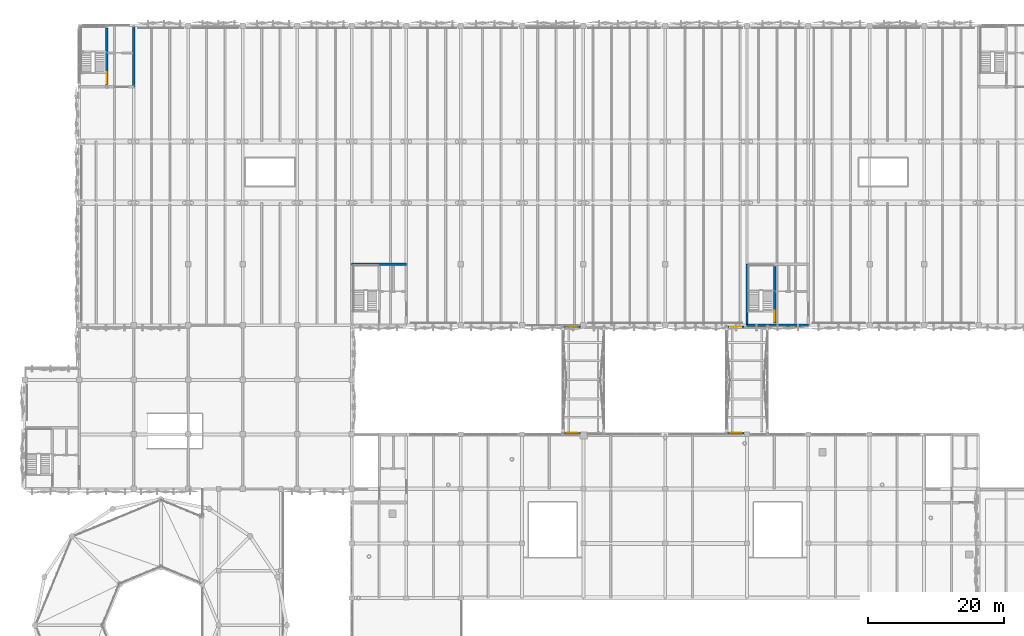
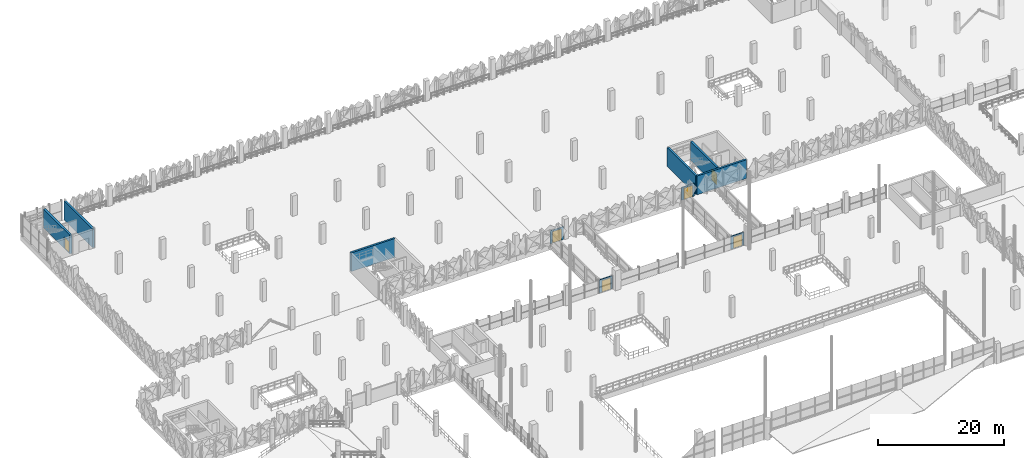
# One storey, part 75 of 123: 10 walls, 6 doors, 6 openings.
"""IFC4 building model written with IfcOpenShell, lengths in metres."""

import ifcopenshell
import ifcopenshell.guid

model = None  # the IFC model being written
_history = None  # IfcOwnerHistory: only IFC2X3 demands one
_inside = {}  # id of a spatial element -> (the spatial element, [elements in it])
_under = {}  # id of a project, library or spatial element -> (it, [spatial elements below it])
_declared = {}  # id of a project -> (the project, [libraries it declares])
_typed = {}  # id of a type object -> (the type object, [elements of that type])
_made_of = {}  # id of a material, layer set ... -> (it, [elements and type objects made of it])


def new_model(schema):
    """Start an empty IFC model of exactly this schema.

    Asked for "IFC4X3", IfcOpenShell would pick the latest addendum, in which some entities
    have other attributes; the version numbers below select the first issue.
    IFC2X3 requires an IfcOwnerHistory on every rooted entity: one is made here for all.
    """
    global model, _history
    if schema == "IFC4X3":
        model = ifcopenshell.file(schema_version=(4, 3, 0, 0))
    else:
        model = ifcopenshell.file(schema=schema)
    _inside.clear()
    _under.clear()
    _declared.clear()
    _typed.clear()
    _made_of.clear()
    _history = None
    if model.schema == "IFC2X3":
        org = make("IfcOrganization", Name="unknown")
        user = make(
            "IfcPersonAndOrganization",
            ThePerson=make("IfcPerson", FamilyName="unknown"),
            TheOrganization=org,
        )
        app = make(
            "IfcApplication",
            ApplicationDeveloper=org,
            Version="unknown",
            ApplicationFullName="unknown",
            ApplicationIdentifier="unknown",
        )
        _history = make(
            "IfcOwnerHistory",
            OwningUser=user,
            OwningApplication=app,
            ChangeAction="ADDED",
            CreationDate=0,
        )
    return model


def make(cls, **values):
    """One entity of the class cls with the attributes given. An attribute that is None is left unset."""
    return model.create_entity(
        cls, **{name: value for name, value in values.items() if value is not None}
    )


def rooted(cls, **values):
    """An entity with a GlobalId (a new one), such as an element, a storey or a relation."""
    return make(cls, GlobalId=ifcopenshell.guid.new(), OwnerHistory=_history, **values)


def si_unit(unit_type, name, prefix=None):
    """IfcSIUnit, for example si_unit("LENGTHUNIT", "METRE", prefix="MILLI")."""
    return make("IfcSIUnit", UnitType=unit_type, Prefix=prefix, Name=name)


def derived_unit(unit_type, elements):
    """IfcDerivedUnit: a product of units, each with its exponent."""
    return make(
        "IfcDerivedUnit",
        Elements=[
            make("IfcDerivedUnitElement", Unit=unit, Exponent=power)
            for unit, power in elements
        ],
        UnitType=unit_type,
    )


def assignment(units):
    """IfcUnitAssignment: the units of a project."""
    return None if units is None else make("IfcUnitAssignment", Units=units)


def point(xyz):
    """IfcCartesianPoint."""
    return None if xyz is None else make("IfcCartesianPoint", Coordinates=xyz)


def direction(xyz):
    """IfcDirection."""
    return None if xyz is None else make("IfcDirection", DirectionRatios=xyz)


def frame(location, z_axis=None, x_axis=None):
    """IfcAxis2Placement3D, a coordinate frame: its origin and axes. An axis left out is left unset."""
    return make(
        "IfcAxis2Placement3D",
        Location=point(location),
        Axis=direction(z_axis),
        RefDirection=direction(x_axis),
    )


def frame_2d(location, x_axis=None):
    """IfcAxis2Placement2D, a coordinate frame in the plane: its origin and x axis."""
    return make(
        "IfcAxis2Placement2D", Location=point(location), RefDirection=direction(x_axis)
    )


def origin():
    """The frame at (0, 0, 0) with its axes left unset."""
    return frame((0.0, 0.0, 0.0))


def place(relative_to, where):
    """IfcLocalPlacement: puts the frame where relative to a parent placement (None: the world)."""
    return make(
        "IfcLocalPlacement", PlacementRelTo=relative_to, RelativePlacement=where
    )


def context(
    kind, dimensions, precision=None, world=None, true_north=None, identifier=None
):
    """IfcGeometricRepresentationContext, for example the 3D "Model" context."""
    return make(
        "IfcGeometricRepresentationContext",
        ContextIdentifier=identifier,
        ContextType=kind,
        CoordinateSpaceDimension=dimensions,
        Precision=precision,
        WorldCoordinateSystem=world,
        TrueNorth=true_north,
    )


def subcontext(parent, identifier, kind, view, scale=None):
    """IfcGeometricRepresentationSubContext, for example "Body" below "Model"."""
    return make(
        "IfcGeometricRepresentationSubContext",
        ContextIdentifier=identifier,
        ContextType=kind,
        ParentContext=parent,
        TargetScale=scale,
        TargetView=view,
    )


def project(units=None, contexts=None):
    """IfcProject with its units and contexts."""
    return rooted(
        "IfcProject",
        Name="project",
        RepresentationContexts=contexts,
        UnitsInContext=assignment(units),
    )


def spatial(cls, under=None, at=None, **own):
    """A site, building, storey or space (cls), placed at a placement, below another one or the project."""
    s = rooted(cls, ObjectPlacement=at, **own)
    if under is not None:
        _under.setdefault(under.id(), (under, []))[1].append(s)
    return s


def profile(cls, at=None, kind="AREA", **sizes):
    """A parametric profile (cls). Its sizes go by their IFC names, for example OverallWidth=200.0."""
    return make(cls, ProfileType=kind, Position=at, **sizes)


def rectangle(**sizes):
    """IfcRectangleProfileDef."""
    return profile("IfcRectangleProfileDef", **sizes)


def extrude(swept, where, along, depth):
    """IfcExtrudedAreaSolid: the profile swept, set in the frame where, extruded along a direction by depth."""
    return make(
        "IfcExtrudedAreaSolid",
        SweptArea=swept,
        Position=where,
        ExtrudedDirection=direction(along),
        Depth=depth,
    )


def shape(context_of_items, identifier, shape_type, items):
    """IfcShapeRepresentation: the items that make up one representation, for example the "Body"."""
    return make(
        "IfcShapeRepresentation",
        ContextOfItems=context_of_items,
        RepresentationIdentifier=identifier,
        RepresentationType=shape_type,
        Items=items,
    )


def material(Name=None, Category=None):
    """IfcMaterial."""
    return make("IfcMaterial", Name=Name, Category=Category)


def layer(
    of_material, thickness, ventilated=None, Name=None, Category=None, Priority=None
):
    """IfcMaterialLayer: one layer of a wall or slab, of a material (None: an air gap)."""
    return make(
        "IfcMaterialLayer",
        Material=of_material,
        LayerThickness=thickness,
        IsVentilated=ventilated,
        Name=Name,
        Category=Category,
        Priority=Priority,
    )


def layer_set(layers, Name=None):
    """IfcMaterialLayerSet."""
    return make("IfcMaterialLayerSet", MaterialLayers=layers, LayerSetName=Name)


def made_of(thing, what):
    """Note that an element or type object is made of a material, layer set ...; save() writes the relation."""
    if what is not None:
        _made_of.setdefault(what.id(), (what, []))[1].append(thing)
    return thing


def type_object(cls, material=None, **own):
    """A type object (cls), such as IfcWallType, which elements share."""
    return made_of(rooted(cls, **own), material)


def element(
    cls,
    number,
    at=None,
    inside=None,
    cuts=None,
    type_object=None,
    material=None,
    context=None,
    identifier="Body",
    shape_type=None,
    held_by="IfcProductDefinitionShape",
    body=None,
    shapes=None,
    **own,
):
    """One element of the class cls, such as IfcWall. Its Tag is "e" and its number.

    at: its placement. inside: the storey or other place that contains it. cuts: it is an
    opening in that element (IfcRelVoidsElement). A single representation is given by context,
    identifier, shape_type and body (its items); several are given by shapes. held_by: the class
    of the entity that holds the representations. save() writes the other relations.
    """
    e = rooted(cls, Tag="e%d" % number, ObjectPlacement=at, **own)
    if body is not None:
        shapes = [shape(context, identifier, shape_type, body)]
    if shapes is not None:
        e.Representation = make(held_by, Representations=shapes)
    if inside is not None:
        _inside.setdefault(inside.id(), (inside, []))[1].append(e)
    if cuts is not None:
        rooted(
            "IfcRelVoidsElement", RelatingBuildingElement=cuts, RelatedOpeningElement=e
        )
    if type_object is not None:
        _typed.setdefault(type_object.id(), (type_object, []))[1].append(e)
    return made_of(e, material)


def fill(opening, filler):
    """IfcRelFillsElement: the door or window that sits in an opening."""
    return rooted(
        "IfcRelFillsElement",
        RelatingOpeningElement=opening,
        RelatedBuildingElement=filler,
    )


def aggregate(whole, parts):
    """IfcRelAggregates: a whole, such as a stair, and the parts it consists of."""
    return rooted("IfcRelAggregates", RelatingObject=whole, RelatedObjects=parts)


def save(model, path):
    """Write the relations noted so far, then the file.

    IfcRelAggregates (storeys below a building ...), IfcRelContainedInSpatialStructure (elements
    in a storey), IfcRelDefinesByType, IfcRelAssociatesMaterial and IfcRelDeclares: one each for
    every whole, place, type object, material and project.
    """
    for whole, parts in _under.values():
        aggregate(whole, parts)
    for where, things in _inside.values():
        rooted(
            "IfcRelContainedInSpatialStructure",
            RelatedElements=things,
            RelatingStructure=where,
        )
    for kind, things in _typed.values():
        rooted("IfcRelDefinesByType", RelatedObjects=things, RelatingType=kind)
    for what, things in _made_of.values():
        rooted("IfcRelAssociatesMaterial", RelatedObjects=things, RelatingMaterial=what)
    for by, libraries in _declared.values():
        rooted("IfcRelDeclares", RelatingContext=by, RelatedDefinitions=libraries)
    model.write(path)


model = new_model("IFC4")

# Units and contexts
model_context = context("Model", 3, precision=1e-05, world=origin(), true_north=direction((0.0, 1.0)))
body_context = subcontext(model_context, "Body", "Model", "MODEL_VIEW")
ifc_project = project(units=[si_unit("LENGTHUNIT", "METRE"), si_unit("AREAUNIT", "SQUARE_METRE"), si_unit("VOLUMEUNIT", "CUBIC_METRE"), si_unit("PLANEANGLEUNIT", "RADIAN"), si_unit("MASSUNIT", "GRAM", prefix="KILO"), si_unit("THERMODYNAMICTEMPERATUREUNIT", "KELVIN"), derived_unit("THERMALTRANSMITTANCEUNIT", [(si_unit("POWERUNIT", "WATT"), 1), (si_unit("AREAUNIT", "SQUARE_METRE"), -1), (si_unit("THERMODYNAMICTEMPERATUREUNIT", "KELVIN"), -1)])], contexts=[model_context])

# Site, building, storey
site_placement = place(None, origin())
site = spatial("IfcSite", under=ifc_project, at=site_placement, CompositionType="ELEMENT")
building_placement = place(site_placement, origin())
building = spatial("IfcBuilding", under=site, at=building_placement, Name="Haiyu Intermodal Mobility Hub", CompositionType="ELEMENT")
storey_placement = place(building_placement, frame((0.0, 0.0, 5.60009765625)))
storey = spatial("IfcBuildingStorey", under=building, at=storey_placement, Name="L01", CompositionType="ELEMENT", Elevation=5.60009765625)

# Wall, opening, door
ifc_material_1 = material(Name="Fire-rated gypsum and rockwool partition", Category="gypsum")
ifc_layer_1 = layer(ifc_material_1, 0.14990234375)
ifc_layer_set_1 = layer_set([ifc_layer_1], Name="Fire-rated gypsum and rockwool partition")
wall_type_1 = type_object("IfcWallType", Name="WAL-WI04", PredefinedType="PARTITIONING", material=ifc_layer_set_1)
wall_1_placement = place(storey_placement, frame((93.10009765625, 88.199951171875, 0.0), z_axis=(0.0, 0.0, 1.0), x_axis=(1.0, 0.0, 0.0)))
wall_1 = element("IfcWall", 1, at=wall_1_placement, inside=storey, type_object=wall_type_1, Name="WAL-BRGS-BW-L01", PredefinedType="PARTITIONING", context=body_context, shape_type="SweptSolid", body=[
    extrude(rectangle(XDim=2.39990234375, YDim=0.14990234375, at=frame_2d((1.199951171875, 0.0))), origin(), (0.0, 0.0, 1.0), 2.47998046875),
])
opening_1_placement = place(wall_1_placement, frame((0.449951171875, 0.0, 0.0)))
opening_1 = element("IfcOpeningElement", 2, at=opening_1_placement, cuts=wall_1, Name="Opening DI18", PredefinedType="OPENING", context=body_context, shape_type="SweptSolid", body=[
    extrude(rectangle(XDim=1.60009765625, YDim=2.199951171875, at=frame_2d((0.800048828125, 1.10009765625))), frame((0.0, 0.0849609375, 0.0), z_axis=(0.0, -1.0, 0.0), x_axis=(1.0, 0.0, 0.0)), (0.0, 0.0, 1.0), 0.169921875),
])
ifc_material_2 = material(Name="Anodised aluminium 6063-T6", Category="aluminium")
door_type_1 = type_object("IfcDoorType", Name="DR-DI18", OperationType="DOUBLE_DOOR_SINGLE_SWING", PredefinedType="DOOR", material=ifc_material_2)
door_1_placement = place(opening_1_placement, origin())
door_1 = element("IfcDoor", 3, at=door_1_placement, inside=storey, type_object=door_type_1, Name="Bridge BW South Lobby Door L01", OperationType="SINGLE_SWING_LEFT", OverallHeight=2.199951171875, OverallWidth=1.60009765625, PredefinedType="DOOR", context=body_context, shape_type="SweptSolid", body=[
    extrude(rectangle(XDim=1.60009765625, YDim=2.199951171875, at=frame_2d((0.800048828125, 1.10009765625))), frame((0.0, 0.02490234375, 0.0), z_axis=(0.0, -1.0, 0.0), x_axis=(1.0, 0.0, 0.0)), (0.0, 0.0, 1.0), 0.050048828125),
])
fill(opening_1, door_1)

wall_2_placement = place(storey_placement, frame((93.10009765625, 103.800048828125, 0.0), z_axis=(0.0, 0.0, 1.0), x_axis=(1.0, 0.0, 0.0)))
wall_2 = element("IfcWall", 4, at=wall_2_placement, inside=storey, type_object=wall_type_1, Name="WAL-BRGN-BW-L01", PredefinedType="PARTITIONING", context=body_context, shape_type="SweptSolid", body=[
    extrude(rectangle(XDim=2.39990234375, YDim=0.14990234375, at=frame_2d((1.199951171875, 0.0))), origin(), (0.0, 0.0, 1.0), 2.47998046875),
])
opening_2_placement = place(wall_2_placement, frame((0.449951171875, 0.0, 0.0)))
opening_2 = element("IfcOpeningElement", 5, at=opening_2_placement, cuts=wall_2, Name="Opening DI18", PredefinedType="OPENING", context=body_context, shape_type="SweptSolid", body=[
    extrude(rectangle(XDim=1.60009765625, YDim=2.199951171875, at=frame_2d((0.800048828125, 1.10009765625))), frame((0.0, 0.0849609375, 0.0), z_axis=(0.0, -1.0, 0.0), x_axis=(1.0, 0.0, 0.0)), (0.0, 0.0, 1.0), 0.169921875),
])
door_2_placement = place(opening_2_placement, origin())
door_2 = element("IfcDoor", 6, at=door_2_placement, inside=storey, type_object=door_type_1, Name="Bridge BW North Lobby Door L01", OperationType="SINGLE_SWING_RIGHT", OverallHeight=2.199951171875, OverallWidth=1.60009765625, PredefinedType="DOOR", context=body_context, shape_type="SweptSolid", body=[
    extrude(rectangle(XDim=1.60009765625, YDim=2.199951171875, at=frame_2d((0.800048828125, 1.10009765625))), frame((0.0, 0.02490234375, 0.0), z_axis=(0.0, -1.0, 0.0), x_axis=(1.0, 0.0, 0.0)), (0.0, 0.0, 1.0), 0.050048828125),
])
fill(opening_2, door_2)

wall_3_placement = place(storey_placement, frame((117.10009765625, 88.199951171875, 0.0), z_axis=(0.0, 0.0, 1.0), x_axis=(1.0, 0.0, 0.0)))
wall_3 = element("IfcWall", 7, at=wall_3_placement, inside=storey, type_object=wall_type_1, Name="WAL-BRGS-BE-L01", PredefinedType="PARTITIONING", context=body_context, shape_type="SweptSolid", body=[
    extrude(rectangle(XDim=2.39990234375, YDim=0.14990234375, at=frame_2d((1.199951171875, 0.0))), origin(), (0.0, 0.0, 1.0), 2.47998046875),
])
opening_3_placement = place(wall_3_placement, frame((0.449951171875, 0.0, 0.0)))
opening_3 = element("IfcOpeningElement", 8, at=opening_3_placement, cuts=wall_3, Name="Opening DI18", PredefinedType="OPENING", context=body_context, shape_type="SweptSolid", body=[
    extrude(rectangle(XDim=1.60009765625, YDim=2.199951171875, at=frame_2d((0.800048828125, 1.10009765625))), frame((0.0, 0.0849609375, 0.0), z_axis=(0.0, -1.0, 0.0), x_axis=(1.0, 0.0, 0.0)), (0.0, 0.0, 1.0), 0.169921875),
])
door_3_placement = place(opening_3_placement, origin())
door_3 = element("IfcDoor", 9, at=door_3_placement, inside=storey, type_object=door_type_1, Name="Bridge BE South Lobby Door L01", OperationType="SINGLE_SWING_LEFT", OverallHeight=2.199951171875, OverallWidth=1.60009765625, PredefinedType="DOOR", context=body_context, shape_type="SweptSolid", body=[
    extrude(rectangle(XDim=1.60009765625, YDim=2.199951171875, at=frame_2d((0.800048828125, 1.10009765625))), frame((0.0, 0.02490234375, 0.0), z_axis=(0.0, -1.0, 0.0), x_axis=(1.0, 0.0, 0.0)), (0.0, 0.0, 1.0), 0.050048828125),
])
fill(opening_3, door_3)

wall_4_placement = place(storey_placement, frame((117.10009765625, 103.800048828125, 0.0), z_axis=(0.0, 0.0, 1.0), x_axis=(1.0, 0.0, 0.0)))
wall_4 = element("IfcWall", 10, at=wall_4_placement, inside=storey, type_object=wall_type_1, Name="WAL-BRGN-BE-L01", PredefinedType="PARTITIONING", context=body_context, shape_type="SweptSolid", body=[
    extrude(rectangle(XDim=2.39990234375, YDim=0.14990234375, at=frame_2d((1.199951171875, 0.0))), origin(), (0.0, 0.0, 1.0), 2.47998046875),
])
opening_4_placement = place(wall_4_placement, frame((0.449951171875, 0.0, 0.0)))
opening_4 = element("IfcOpeningElement", 11, at=opening_4_placement, cuts=wall_4, Name="Opening DI18", PredefinedType="OPENING", context=body_context, shape_type="SweptSolid", body=[
    extrude(rectangle(XDim=1.60009765625, YDim=2.199951171875, at=frame_2d((0.800048828125, 1.10009765625))), frame((0.0, 0.0849609375, 0.0), z_axis=(0.0, -1.0, 0.0), x_axis=(1.0, 0.0, 0.0)), (0.0, 0.0, 1.0), 0.169921875),
])
door_4_placement = place(opening_4_placement, origin())
door_4 = element("IfcDoor", 12, at=door_4_placement, inside=storey, type_object=door_type_1, Name="Bridge BE North Lobby Door L01", OperationType="SINGLE_SWING_RIGHT", OverallHeight=2.199951171875, OverallWidth=1.60009765625, PredefinedType="DOOR", context=body_context, shape_type="SweptSolid", body=[
    extrude(rectangle(XDim=1.60009765625, YDim=2.199951171875, at=frame_2d((0.800048828125, 1.10009765625))), frame((0.0, 0.02490234375, 0.0), z_axis=(0.0, -1.0, 0.0), x_axis=(1.0, 0.0, 0.0)), (0.0, 0.0, 1.0), 0.050048828125),
])
fill(opening_4, door_4)

# Walls
ifc_material_3 = material(Name="Concrete C40", Category="concrete")
ifc_layer_2 = layer(ifc_material_3, 0.35009765625)
ifc_layer_set_2 = layer_set([ifc_layer_2], Name="Concrete C40")
wall_type_2 = type_object("IfcWallType", Name="WAL-WS02", PredefinedType="SHEAR", material=ifc_layer_set_2)
wall_5_placement = place(storey_placement, frame((70.0, 113.0, 0.0), z_axis=(0.0, 0.0, 1.0), x_axis=(-1.0, 0.0, 0.0)))
element("IfcWall", 13, at=wall_5_placement, inside=storey, type_object=wall_type_2, Name="WAL-CORE-C5-N-L01", PredefinedType="SHEAR", context=body_context, shape_type="SweptSolid", body=[
    extrude(rectangle(XDim=8.0, YDim=0.35009765625, at=frame_2d((4.0, 0.0))), origin(), (0.0, 0.0, 1.0), 3.619873046875),
])
for number, where, z_axis, x_axis, name in (
    (14, (120.0, 104.0, 0.0), (0.0, 0.0, 1.0), (1.0, 0.0, 0.0), "WAL-CORE-C6-S-L01"),
    (15, (120.0, 113.0, 0.0), (0.0, 0.0, 1.0), (0.0, -1.0, 0.0), "WAL-CORE-C6-W-L01"),
):
    element("IfcWall", number, at=place(storey_placement, frame(where, z_axis=z_axis, x_axis=x_axis)), inside=storey, type_object=wall_type_2, Name=name, PredefinedType="SHEAR", context=body_context, shape_type="SweptSolid", body=[
        extrude(rectangle(XDim=9.0, YDim=0.35009765625, at=frame_2d((4.5, 0.0))), origin(), (0.0, 0.0, 1.0), 3.619873046875),
    ])
ifc_layer_3 = layer(ifc_material_3, 0.3798828125)
ifc_layer_set_3 = layer_set([ifc_layer_3], Name="Concrete C40")
wall_type_3 = type_object("IfcWallType", Name="WAL-WS03", PredefinedType="SHEAR", material=ifc_layer_set_3)
wall_6_placement = place(storey_placement, frame((30.0, 139.0, 0.0), z_axis=(0.0, 0.0, 1.0), x_axis=(0.0, 1.0, 0.0)))
element("IfcWall", 16, at=wall_6_placement, inside=storey, type_object=wall_type_3, Name="WAL-CORE-C3-E-L01", PredefinedType="SHEAR", context=body_context, shape_type="SweptSolid", body=[
    extrude(rectangle(XDim=9.0, YDim=0.3798828125, at=frame_2d((4.5, 0.0))), origin(), (0.0, 0.0, 1.0), 3.619873046875),
])

# Wall, opening, door
wall_7_placement = place(storey_placement, frame((26.050048828125, 139.35009765625, 0.0), z_axis=(0.0, 0.0, 1.0), x_axis=(0.0, 1.0, 0.0)))
wall_7 = element("IfcWall", 17, at=wall_7_placement, inside=storey, type_object=wall_type_3, Name="WAL-CORE-C3-MID-L01", PredefinedType="SHEAR", context=body_context, shape_type="SweptSolid", body=[
    extrude(rectangle(XDim=8.2998046875, YDim=0.3798828125, at=frame_2d((4.14990234375, 0.0))), origin(), (0.0, 0.0, 1.0), 3.619873046875),
])
opening_5_placement = place(wall_7_placement, frame((0.179931640625, 0.0, 0.0)))
opening_5 = element("IfcOpeningElement", 18, at=opening_5_placement, cuts=wall_7, Name="Opening DI02", PredefinedType="OPENING", context=body_context, shape_type="SweptSolid", body=[
    extrude(rectangle(XDim=1.64990234375, YDim=2.199951171875, at=frame_2d((0.824951171875, 1.10009765625))), frame((0.0, 0.199951171875, 0.0), z_axis=(0.0, -1.0, 0.0), x_axis=(1.0, 0.0, 0.0)), (0.0, 0.0, 1.0), 0.39990234375),
])
ifc_material_4 = material(Name="Steel Q355C", Category="steel")
door_type_2 = type_object("IfcDoorType", Name="DR-DI02", OperationType="DOUBLE_DOOR_SINGLE_SWING", PredefinedType="DOOR", material=ifc_material_4)
door_5_placement = place(opening_5_placement, origin())
door_5 = element("IfcDoor", 19, at=door_5_placement, inside=storey, type_object=door_type_2, Name="Stair ST02 Fire Door L01", OperationType="SINGLE_SWING_RIGHT", OverallHeight=2.199951171875, OverallWidth=1.64990234375, PredefinedType="DOOR", context=body_context, shape_type="SweptSolid", body=[
    extrude(rectangle(XDim=1.64990234375, YDim=2.199951171875, at=frame_2d((0.824951171875, 1.10009765625))), frame((0.0, 0.02490234375, 0.0), z_axis=(0.0, -1.0, 0.0), x_axis=(1.0, 0.0, 0.0)), (0.0, 0.0, 1.0), 0.050048828125),
])
fill(opening_5, door_5)

wall_8_placement = place(storey_placement, frame((124.050048828125, 104.35009765625, 0.0), z_axis=(0.0, 0.0, 1.0), x_axis=(0.0, 1.0, 0.0)))
wall_8 = element("IfcWall", 20, at=wall_8_placement, inside=storey, type_object=wall_type_3, Name="WAL-CORE-C6-MID-L01", PredefinedType="SHEAR", context=body_context, shape_type="SweptSolid", body=[
    extrude(rectangle(XDim=8.2998046875, YDim=0.3798828125, at=frame_2d((4.14990234375, 0.0))), origin(), (0.0, 0.0, 1.0), 3.619873046875),
])
opening_6_placement = place(wall_8_placement, frame((0.179931640625, 0.0, 0.0)))
opening_6 = element("IfcOpeningElement", 21, at=opening_6_placement, cuts=wall_8, Name="Opening DI02", PredefinedType="OPENING", context=body_context, shape_type="SweptSolid", body=[
    extrude(rectangle(XDim=1.64990234375, YDim=2.199951171875, at=frame_2d((0.824951171875, 1.10009765625))), frame((0.0, 0.199951171875, 0.0), z_axis=(0.0, -1.0, 0.0), x_axis=(1.0, 0.0, 0.0)), (0.0, 0.0, 1.0), 0.39990234375),
])
door_6_placement = place(opening_6_placement, origin())
door_6 = element("IfcDoor", 22, at=door_6_placement, inside=storey, type_object=door_type_2, Name="Stair ST01 Fire Door L01", OperationType="SINGLE_SWING_LEFT", OverallHeight=2.199951171875, OverallWidth=1.64990234375, PredefinedType="DOOR", context=body_context, shape_type="SweptSolid", body=[
    extrude(rectangle(XDim=1.64990234375, YDim=2.199951171875, at=frame_2d((0.824951171875, 1.10009765625))), frame((0.0, 0.02490234375, 0.0), z_axis=(0.0, -1.0, 0.0), x_axis=(1.0, 0.0, 0.0)), (0.0, 0.0, 1.0), 0.050048828125),
])
fill(opening_6, door_6)

save(model, "model.ifc")
